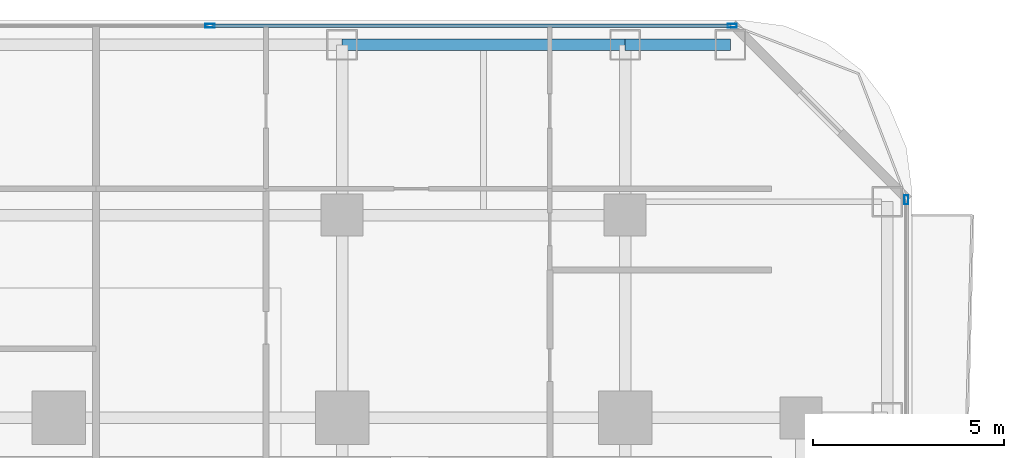
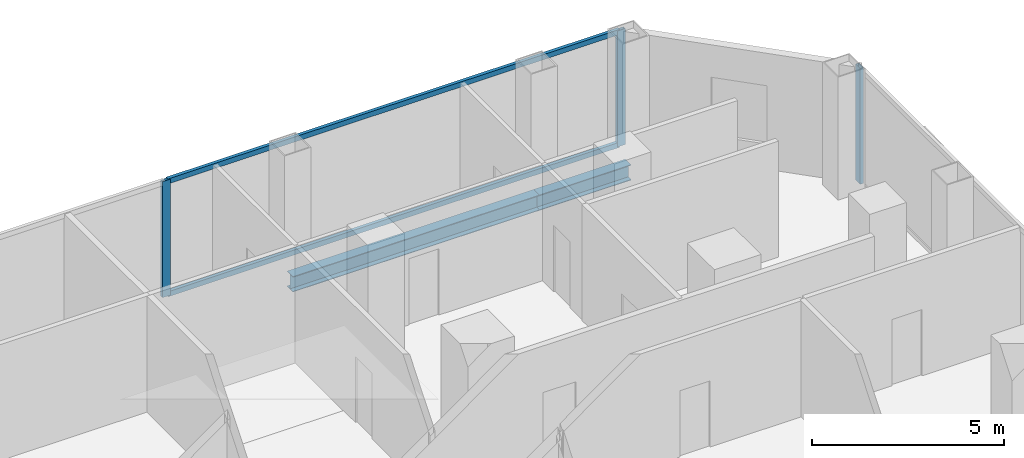
# One storey, part 17 of 29: 5 members, 2 beams, 2 elements without a shape of their own.
"""IFC4 building model written with IfcOpenShell, lengths in metres."""

from ifc_helpers import new_model, si_unit, direction, frame, origin, origin_2d, place, context, subcontext, project, spatial, hollow_rectangle, i_section, extrude, material, layer, layer_set, material_profile, profile_set, type_object, element, aggregate, save


model = new_model("IFC4")

# Units and contexts
model_context = context("Model", 3, precision=1e-05, world=origin(), true_north=direction((0.0, 1.0)))
body_context = subcontext(model_context, "Body", "Model", "MODEL_VIEW")
ifc_project = project(units=[si_unit("LENGTHUNIT", "METRE"), si_unit("AREAUNIT", "SQUARE_METRE"), si_unit("VOLUMEUNIT", "CUBIC_METRE"), si_unit("PLANEANGLEUNIT", "RADIAN"), si_unit("MASSUNIT", "GRAM", prefix="KILO")], contexts=[model_context])

# Site, building, storey
site_placement = place(None, origin())
site = spatial("IfcSite", under=ifc_project, at=site_placement, CompositionType="ELEMENT")
building_placement = place(site_placement, origin())
building = spatial("IfcBuilding", under=site, at=building_placement, Name="Khorvyn Point Tower", CompositionType="ELEMENT")
storey_placement = place(building_placement, frame((0.0, 0.0, 61.800048828125)))
storey = spatial("IfcBuildingStorey", under=building, at=storey_placement, Name="L16", CompositionType="ELEMENT", Elevation=61.800048828125)

# Curtain wall, members
ifc_material_1 = material(Name="Anodised aluminium 6063-T6 and laminated Low-E glass", Category="aluminium")
ifc_layer = layer(ifc_material_1, 0.18994140625)
ifc_layer_set = layer_set([ifc_layer], Name="Stick-Built Finned Residential Curtain Wall CW-SYS-02")
curtain_wall_type = type_object("IfcCurtainWallType", Name="Stick-Built Finned Residential Curtain Wall CW-SYS-02", PredefinedType="NOTDEFINED", material=ifc_layer_set)
curtain_wall_1_placement = place(storey_placement, origin())
curtain_wall_1 = element("IfcCurtainWall", 1, at=curtain_wall_1_placement, inside=storey, type_object=curtain_wall_type, Name="Curtain Wall", PredefinedType="NOTDEFINED")
ifc_material_2 = material(Name="Anodised aluminium 6063-T6", Category="aluminium")
ifc_material_profile_1 = material_profile(ifc_material_2, hollow_rectangle(XDim=0.10009765625, YDim=0.239990234375, WallThickness=0.0048828125, at=origin_2d()))
ifc_profile_set_1 = profile_set([ifc_material_profile_1], Name="Anodised aluminium 6063-T6 ALU-MUL-100x240")
member_type_1 = type_object("IfcMemberType", Name="Anodised Aluminium 6063-T6 Mullion ALU-MUL-100x240", PredefinedType="MULLION", material=ifc_profile_set_1)
member_1_placement = place(storey_placement, frame((3.949951171875, 25.050048828125, 0.0), z_axis=(0.0, 0.0, 1.0), x_axis=(0.0, 1.0, 0.0)))
member_1 = element("IfcMember", 2, at=member_1_placement, type_object=member_type_1, Name="Transom", PredefinedType="MULLION", context=body_context, shape_type="SweptSolid", body=[
    extrude(hollow_rectangle(XDim=0.10009765625, YDim=0.239990234375, WallThickness=0.0048828125, at=origin_2d()), origin(), (0.0, 0.0, 1.0), 3.679931640625),
])
member_2_placement = place(storey_placement, frame((17.60009765625, 25.050048828125, 0.0), z_axis=(0.0, 0.0, 1.0), x_axis=(0.0, 1.0, 0.0)))
member_2 = element("IfcMember", 3, at=member_2_placement, type_object=member_type_1, Name="Transom", PredefinedType="MULLION", context=body_context, shape_type="SweptSolid", body=[
    extrude(hollow_rectangle(XDim=0.10009765625, YDim=0.239990234375, WallThickness=0.0048828125, at=origin_2d()), origin(), (0.0, 0.0, 1.0), 3.679931640625),
])

# Curtain wall, member
curtain_wall_2_placement = place(storey_placement, origin())
curtain_wall_2 = element("IfcCurtainWall", 4, at=curtain_wall_2_placement, inside=storey, type_object=curtain_wall_type, Name="Curtain Wall", PredefinedType="NOTDEFINED")
member_3_placement = place(storey_placement, frame((22.14990234375, 20.5, 0.0), z_axis=(0.0, 0.0, 1.0), x_axis=(1.0, 0.0, 0.0)))
member_3 = element("IfcMember", 5, at=member_3_placement, type_object=member_type_1, Name="Transom", PredefinedType="MULLION", context=body_context, shape_type="SweptSolid", body=[
    extrude(hollow_rectangle(XDim=0.10009765625, YDim=0.239990234375, WallThickness=0.0048828125, at=origin_2d()), origin(), (0.0, 0.0, 1.0), 3.679931640625),
])
aggregate(curtain_wall_2, [member_3])

# Member
ifc_material_profile_2 = material_profile(ifc_material_2, hollow_rectangle(XDim=0.10009765625, YDim=0.159912109375, WallThickness=0.00439453125, at=origin_2d()))
ifc_profile_set_2 = profile_set([ifc_material_profile_2], Name="Anodised aluminium 6063-T6 ALU-TRN-100x160")
member_type_2 = type_object("IfcMemberType", Name="Anodised Aluminium 6063-T6 Transom ALU-TRN-100x160", PredefinedType="USERDEFINED", material=ifc_profile_set_2)
member_4_placement = place(storey_placement, frame((4.0, 25.050048828125, 0.050048828125), z_axis=(1.0, 0.0, 0.0), x_axis=(0.0, 1.0, 0.0)))
member_4 = element("IfcMember", 6, at=member_4_placement, type_object=member_type_2, Name="Transom", ObjectType="TRANSOM", PredefinedType="USERDEFINED", context=body_context, shape_type="SweptSolid", body=[
    extrude(hollow_rectangle(XDim=0.10009765625, YDim=0.159912109375, WallThickness=0.00439453125, at=origin_2d()), origin(), (0.0, 0.0, 1.0), 13.550048828125),
])

member_5_placement = place(storey_placement, frame((4.0, 25.050048828125, 3.6298828125), z_axis=(1.0, 0.0, 0.0), x_axis=(0.0, 1.0, 0.0)))
member_5 = element("IfcMember", 7, at=member_5_placement, type_object=member_type_2, Name="Transom", ObjectType="TRANSOM", PredefinedType="USERDEFINED", context=body_context, shape_type="SweptSolid", body=[
    extrude(hollow_rectangle(XDim=0.10009765625, YDim=0.159912109375, WallThickness=0.00439453125, at=origin_2d()), origin(), (0.0, 0.0, 1.0), 13.550048828125),
])

aggregate(curtain_wall_1, [member_1, member_2, member_4, member_5])

# Beams
ifc_material_3 = material(Name="Steel S355", Category="steel")
ifc_material_profile_3 = material_profile(ifc_material_3, i_section(OverallWidth=0.300048828125, OverallDepth=0.488037109375, WebThickness=0.010986328125, FlangeThickness=0.01806640625, at=origin_2d()))
ifc_profile_set_3 = profile_set([ifc_material_profile_3], Name="Steel S355 H488x300x11x18")
beam_type = type_object("IfcBeamType", Name="Steel S355 Spandrel H488x300x11x18", PredefinedType="SPANDREL", material=ifc_profile_set_3)
beam_1_placement = place(storey_placement, frame((7.39990234375, 24.550048828125, -0.464111328125), z_axis=(1.0, 0.0, 0.0), x_axis=(0.0, 1.0, 0.0)))
element("IfcBeam", 8, at=beam_1_placement, inside=storey, type_object=beam_type, Name="Beam", PredefinedType="SPANDREL", context=body_context, shape_type="SweptSolid", body=[
    extrude(i_section(OverallWidth=0.300048828125, OverallDepth=0.488037109375, WebThickness=0.010986328125, FlangeThickness=0.01806640625, at=origin_2d()), origin(), (0.0, 0.0, 1.0), 7.400146484375),
])
beam_2_placement = place(storey_placement, frame((14.800048828125, 24.550048828125, -0.464111328125), z_axis=(1.0, 0.0, 0.0), x_axis=(0.0, 1.0, 0.0)))
element("IfcBeam", 9, at=beam_2_placement, inside=storey, type_object=beam_type, Name="Beam", PredefinedType="SPANDREL", context=body_context, shape_type="SweptSolid", body=[
    extrude(i_section(OverallWidth=0.300048828125, OverallDepth=0.488037109375, WebThickness=0.010986328125, FlangeThickness=0.01806640625, at=origin_2d()), origin(), (0.0, 0.0, 1.0), 2.75),
])

save(model, "model.ifc")
